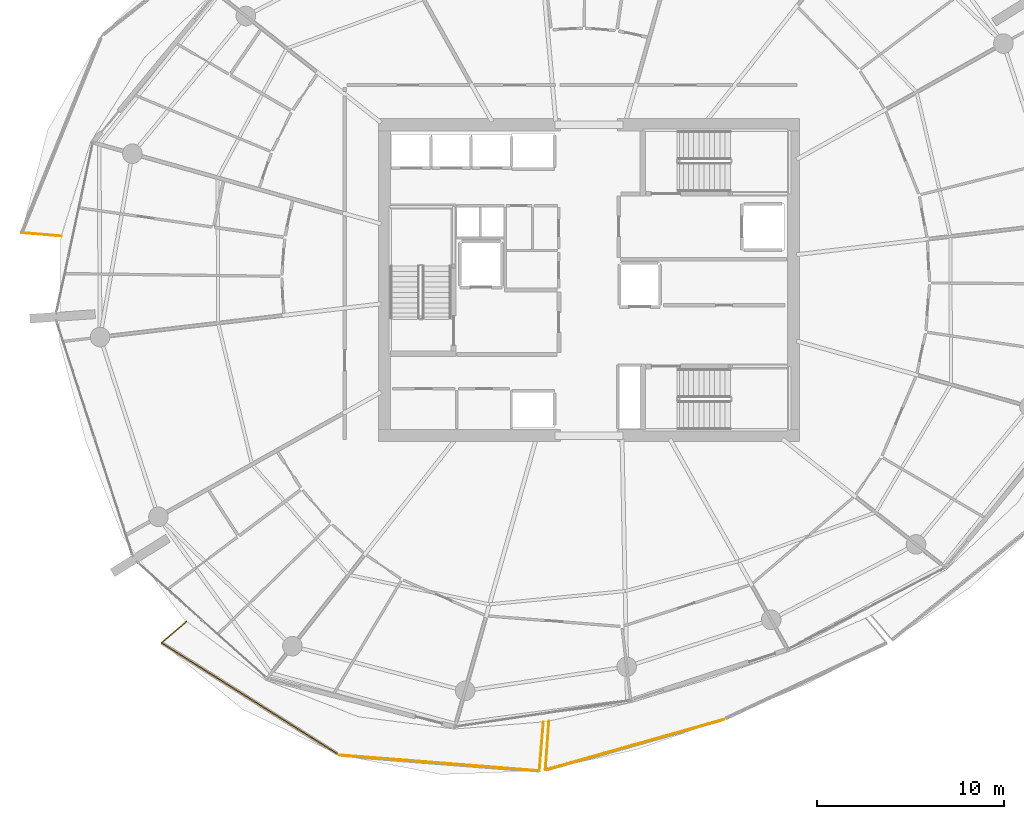
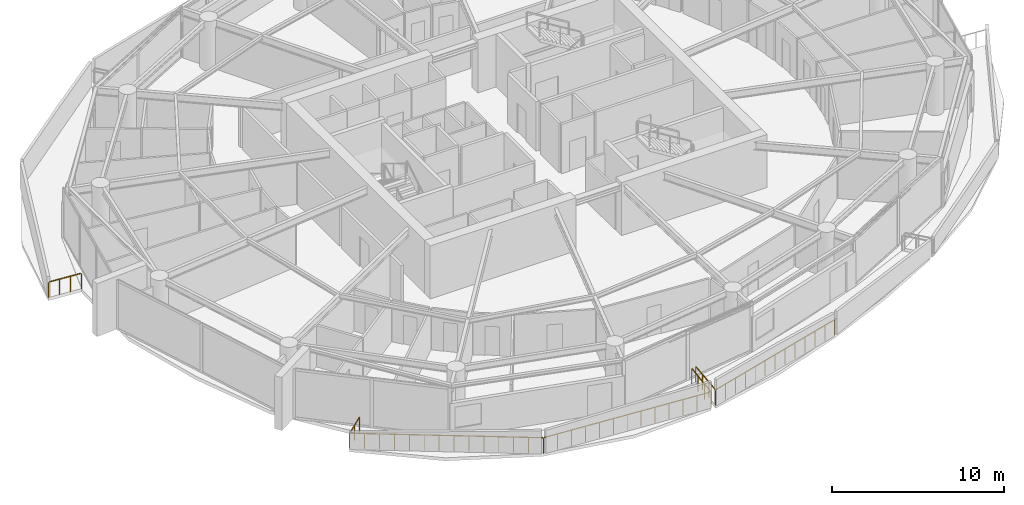
# One storey, part 16 of 20: 7 railings.
"""IFC4 building model written with IfcOpenShell, lengths in metres."""

from ifc_helpers import new_model, si_unit, direction, frame, origin, origin_2d, place, context, subcontext, project, spatial, rectangle, extrude, material, type_object, element, save


model = new_model("IFC4")

# Units and contexts
model_context = context("Model", 3, precision=1e-05, world=origin(), true_north=direction((0.0, 1.0)))
body_context = subcontext(model_context, "Body", "Model", "MODEL_VIEW")
ifc_project = project(units=[si_unit("LENGTHUNIT", "METRE"), si_unit("AREAUNIT", "SQUARE_METRE"), si_unit("VOLUMEUNIT", "CUBIC_METRE"), si_unit("PLANEANGLEUNIT", "RADIAN"), si_unit("MASSUNIT", "GRAM", prefix="KILO")], contexts=[model_context])

# Site, building, storey
site_placement = place(None, origin())
site = spatial("IfcSite", under=ifc_project, at=site_placement, CompositionType="ELEMENT")
building_placement = place(site_placement, origin())
building = spatial("IfcBuilding", under=site, at=building_placement, Name="Kazma Halo Residences", CompositionType="ELEMENT")
storey_placement = place(building_placement, frame((0.0, 0.0, 202.800048828125)))
storey = spatial("IfcBuildingStorey", under=building, at=storey_placement, Name="L51", CompositionType="ELEMENT", Elevation=202.800048828125)

# Railings
ifc_material = material(Name="Aluminium AW-6063 T6 Brushed Cap Rail", Category="aluminium")
railing_type = type_object("IfcRailingType", Name="RLG-BAL-CAP-1120", PredefinedType="BALUSTRADE", material=ifc_material)
railing_1_placement = place(storey_placement, frame((18.044921875, 44.541748046875, 0.0)))
element("IfcRailing", 1, at=railing_1_placement, inside=storey, type_object=railing_type, Name="L51 NW wave balcony guard 4", PredefinedType="BALUSTRADE", context=body_context, shape_type="SweptSolid", body=[
    extrude(rectangle(XDim=0.050048828125, YDim=0.050048828125, at=origin_2d()), frame((0.04248046875, -0.003662109375, 1.09521484375), z_axis=(0.996420448737, -0.084535728182, 0.0), x_axis=(0.084535728182, 0.996420448737, 0.0)), (0.0, 0.0, 1.0), 2.04345703125),
    extrude(rectangle(XDim=0.0400390625, YDim=0.0400390625, at=origin_2d()), origin(), (0.0, 0.0, 1.0), 1.05810546875),
    extrude(rectangle(XDim=0.0400390625, YDim=0.0400390625, at=origin_2d()), frame((0.70703125, -0.06005859375, 0.0)), (0.0, 0.0, 1.0), 1.05810546875),
    extrude(rectangle(XDim=0.0400390625, YDim=0.0400390625, at=origin_2d()), frame((1.413818359375, -0.119873046875, 0.0)), (0.0, 0.0, 1.0), 1.05810546875),
    extrude(rectangle(XDim=0.0400390625, YDim=0.0400390625, at=origin_2d()), frame((2.120849609375, -0.179931640625, 0.0)), (0.0, 0.0, 1.0), 1.05810546875),
])
railing_2_placement = place(storey_placement, frame((26.869873046875, 23.728759765625, 0.0)))
element("IfcRailing", 2, at=railing_2_placement, inside=storey, type_object=railing_type, Name="L51 SW wave balcony guard 1", PredefinedType="BALUSTRADE", context=body_context, shape_type="SweptSolid", body=[
    extrude(rectangle(XDim=0.050048828125, YDim=0.050048828125, at=origin_2d()), frame((-0.0322265625, -0.02783203125, 1.09521484375), z_axis=(-0.756426307601, -0.654078925795, 0.0), x_axis=(0.654078925795, -0.756426307601, 0.0)), (0.0, 0.0, 1.0), 1.6728515625),
    extrude(rectangle(XDim=0.0400390625, YDim=0.0400390625, at=origin_2d()), origin(), (0.0, 0.0, 1.0), 1.05810546875),
    extrude(rectangle(XDim=0.0400390625, YDim=0.0400390625, at=origin_2d()), frame((-0.6650390625, -0.574951171875, 0.0)), (0.0, 0.0, 1.0), 1.05810546875),
    extrude(rectangle(XDim=0.0400390625, YDim=0.0400390625, at=origin_2d()), frame((-1.329833984375, -1.14990234375, 0.0)), (0.0, 0.0, 1.0), 1.05810546875),
])
railing_3_placement = place(storey_placement, frame((25.5400390625, 22.578857421875, 0.0)))
element("IfcRailing", 3, at=railing_3_placement, inside=storey, type_object=railing_type, Name="L51 SW wave balcony guard 2", PredefinedType="BALUSTRADE", context=body_context, shape_type="SweptSolid", body=[
    extrude(rectangle(XDim=0.050048828125, YDim=0.050048828125, at=origin_2d()), frame((0.035888671875, -0.022705078125, 1.09521484375), z_axis=(0.845271598737, -0.53433690156, 0.0), x_axis=(0.53433690156, 0.845271598737, 0.0)), (0.0, 0.0, 1.0), 11.157958984375),
    extrude(rectangle(XDim=0.0400390625, YDim=0.0400390625, at=origin_2d()), origin(), (0.0, 0.0, 1.0), 1.05810546875),
    extrude(rectangle(XDim=0.0400390625, YDim=0.0400390625, at=origin_2d()), frame((0.73095703125, -0.462158203125, 0.0)), (0.0, 0.0, 1.0), 1.05810546875),
    extrude(rectangle(XDim=0.0400390625, YDim=0.0400390625, at=origin_2d()), frame((1.462158203125, -0.92431640625, 0.0)), (0.0, 0.0, 1.0), 1.05810546875),
    extrude(rectangle(XDim=0.0400390625, YDim=0.0400390625, at=origin_2d()), frame((2.193115234375, -1.386474609375, 0.0)), (0.0, 0.0, 1.0), 1.05810546875),
    extrude(rectangle(XDim=0.0400390625, YDim=0.0400390625, at=origin_2d()), frame((2.924072265625, -1.848388671875, 0.0)), (0.0, 0.0, 1.0), 1.05810546875),
    extrude(rectangle(XDim=0.0400390625, YDim=0.0400390625, at=origin_2d()), frame((3.6552734375, -2.310546875, 0.0)), (0.0, 0.0, 1.0), 1.05810546875),
    extrude(rectangle(XDim=0.0400390625, YDim=0.0400390625, at=origin_2d()), frame((4.38623046875, -2.772705078125, 0.0)), (0.0, 0.0, 1.0), 1.05810546875),
    extrude(rectangle(XDim=0.0400390625, YDim=0.0400390625, at=origin_2d()), frame((5.1171875, -3.23486328125, 0.0)), (0.0, 0.0, 1.0), 1.05810546875),
    extrude(rectangle(XDim=0.0400390625, YDim=0.0400390625, at=origin_2d()), frame((5.84814453125, -3.697021484375, 0.0)), (0.0, 0.0, 1.0), 1.05810546875),
    extrude(rectangle(XDim=0.0400390625, YDim=0.0400390625, at=origin_2d()), frame((6.579345703125, -4.1591796875, 0.0)), (0.0, 0.0, 1.0), 1.05810546875),
    extrude(rectangle(XDim=0.0400390625, YDim=0.0400390625, at=origin_2d()), frame((7.310302734375, -4.62109375, 0.0)), (0.0, 0.0, 1.0), 1.05810546875),
    extrude(rectangle(XDim=0.0400390625, YDim=0.0400390625, at=origin_2d()), frame((8.041259765625, -5.083251953125, 0.0)), (0.0, 0.0, 1.0), 1.05810546875),
    extrude(rectangle(XDim=0.0400390625, YDim=0.0400390625, at=origin_2d()), frame((8.7724609375, -5.54541015625, 0.0)), (0.0, 0.0, 1.0), 1.05810546875),
    extrude(rectangle(XDim=0.0400390625, YDim=0.0400390625, at=origin_2d()), frame((9.50341796875, -6.007568359375, 0.0)), (0.0, 0.0, 1.0), 1.05810546875),
])
railing_4_placement = place(storey_placement, frame((35.04345703125, 16.5712890625, 0.0)))
element("IfcRailing", 4, at=railing_4_placement, inside=storey, type_object=railing_type, Name="L51 SW wave balcony guard 3", PredefinedType="BALUSTRADE", context=body_context, shape_type="SweptSolid", body=[
    extrude(rectangle(XDim=0.050048828125, YDim=0.050048828125, at=origin_2d()), frame((0.04248046875, -0.00341796875, 1.09521484375), z_axis=(0.99689777388, -0.078707232409, 0.0), x_axis=(0.078707232409, 0.99689777388, 0.0)), (0.0, 0.0, 1.0), 10.67529296875),
    extrude(rectangle(XDim=0.0400390625, YDim=0.0400390625, at=origin_2d()), origin(), (0.0, 0.0, 1.0), 1.05810546875),
    extrude(rectangle(XDim=0.0400390625, YDim=0.0400390625, at=origin_2d()), frame((0.89404296875, -0.070556640625, 0.0)), (0.0, 0.0, 1.0), 1.05810546875),
    extrude(rectangle(XDim=0.0400390625, YDim=0.0400390625, at=origin_2d()), frame((1.787841796875, -0.14111328125, 0.0)), (0.0, 0.0, 1.0), 1.05810546875),
    extrude(rectangle(XDim=0.0400390625, YDim=0.0400390625, at=origin_2d()), frame((2.681640625, -0.211669921875, 0.0)), (0.0, 0.0, 1.0), 1.05810546875),
    extrude(rectangle(XDim=0.0400390625, YDim=0.0400390625, at=origin_2d()), frame((3.57568359375, -0.2822265625, 0.0)), (0.0, 0.0, 1.0), 1.05810546875),
    extrude(rectangle(XDim=0.0400390625, YDim=0.0400390625, at=origin_2d()), frame((4.4697265625, -0.352783203125, 0.0)), (0.0, 0.0, 1.0), 1.05810546875),
    extrude(rectangle(XDim=0.0400390625, YDim=0.0400390625, at=origin_2d()), frame((5.363525390625, -0.42333984375, 0.0)), (0.0, 0.0, 1.0), 1.05810546875),
    extrude(rectangle(XDim=0.0400390625, YDim=0.0400390625, at=origin_2d()), frame((6.25732421875, -0.494140625, 0.0)), (0.0, 0.0, 1.0), 1.05810546875),
    extrude(rectangle(XDim=0.0400390625, YDim=0.0400390625, at=origin_2d()), frame((7.1513671875, -0.564697265625, 0.0)), (0.0, 0.0, 1.0), 1.05810546875),
    extrude(rectangle(XDim=0.0400390625, YDim=0.0400390625, at=origin_2d()), frame((8.04541015625, -0.63525390625, 0.0)), (0.0, 0.0, 1.0), 1.05810546875),
    extrude(rectangle(XDim=0.0400390625, YDim=0.0400390625, at=origin_2d()), frame((8.939208984375, -0.705810546875, 0.0)), (0.0, 0.0, 1.0), 1.05810546875),
    extrude(rectangle(XDim=0.0400390625, YDim=0.0400390625, at=origin_2d()), frame((9.8330078125, -0.7763671875, 0.0)), (0.0, 0.0, 1.0), 1.05810546875),
    extrude(rectangle(XDim=0.0400390625, YDim=0.0400390625, at=origin_2d()), frame((10.72705078125, -0.846923828125, 0.0)), (0.0, 0.0, 1.0), 1.05810546875),
])
railing_5_placement = place(storey_placement, frame((45.7705078125, 15.724365234375, 0.0)))
element("IfcRailing", 5, at=railing_5_placement, inside=storey, type_object=railing_type, Name="L51 SW wave balcony guard 4", PredefinedType="BALUSTRADE", context=body_context, shape_type="SweptSolid", body=[
    extrude(rectangle(XDim=0.050048828125, YDim=0.050048828125, at=origin_2d()), frame((0.003662109375, 0.04248046875, 1.09521484375), z_axis=(0.084597784786, 0.996415181944, 0.0), x_axis=(-0.996415181944, 0.084597784786, 0.0)), (0.0, 0.0, 1.0), 2.5439453125),
    extrude(rectangle(XDim=0.0400390625, YDim=0.0400390625, at=origin_2d()), origin(), (0.0, 0.0, 1.0), 1.05810546875),
    extrude(rectangle(XDim=0.0400390625, YDim=0.0400390625, at=origin_2d()), frame((0.07421875, 0.873291015625, 0.0)), (0.0, 0.0, 1.0), 1.05810546875),
    extrude(rectangle(XDim=0.0400390625, YDim=0.0400390625, at=origin_2d()), frame((0.148193359375, 1.746337890625, 0.0)), (0.0, 0.0, 1.0), 1.05810546875),
    extrude(rectangle(XDim=0.0400390625, YDim=0.0400390625, at=origin_2d()), frame((0.222412109375, 2.61962890625, 0.0)), (0.0, 0.0, 1.0), 1.05810546875),
])
railing_6_placement = place(storey_placement, frame((46.286865234375, 18.387939453125, 0.0)))
element("IfcRailing", 6, at=railing_6_placement, inside=storey, type_object=railing_type, Name="L51 SSE wave balcony guard 1", PredefinedType="BALUSTRADE", context=body_context, shape_type="SweptSolid", body=[
    extrude(rectangle(XDim=0.050048828125, YDim=0.050048828125, at=origin_2d()), frame((-0.003173828125, -0.04248046875, 1.09521484375), z_axis=(-0.072463352725, -0.997371075634, 0.0), x_axis=(0.997371075634, -0.072463352725, 0.0)), (0.0, 0.0, 1.0), 2.53955078125),
    extrude(rectangle(XDim=0.0400390625, YDim=0.0400390625, at=origin_2d()), origin(), (0.0, 0.0, 1.0), 1.05810546875),
    extrude(rectangle(XDim=0.0400390625, YDim=0.0400390625, at=origin_2d()), frame((-0.0634765625, -0.87255859375, 0.0)), (0.0, 0.0, 1.0), 1.05810546875),
    extrude(rectangle(XDim=0.0400390625, YDim=0.0400390625, at=origin_2d()), frame((-0.126708984375, -1.7451171875, 0.0)), (0.0, 0.0, 1.0), 1.05810546875),
    extrude(rectangle(XDim=0.0400390625, YDim=0.0400390625, at=origin_2d()), frame((-0.190185546875, -2.61767578125, 0.0)), (0.0, 0.0, 1.0), 1.05810546875),
])
railing_7_placement = place(storey_placement, frame((46.0966796875, 15.770263671875, 0.0)))
element("IfcRailing", 7, at=railing_7_placement, inside=storey, type_object=railing_type, Name="L51 SSE wave balcony guard 2", PredefinedType="BALUSTRADE", context=body_context, shape_type="SweptSolid", body=[
    extrude(rectangle(XDim=0.050048828125, YDim=0.050048828125, at=origin_2d()), frame((0.041015625, 0.01171875, 1.09521484375), z_axis=(0.962080895035, 0.272764278102, 0.0), x_axis=(-0.272764278102, 0.962080895035, 0.0)), (0.0, 0.0, 1.0), 9.837646484375),
    extrude(rectangle(XDim=0.0400390625, YDim=0.0400390625, at=origin_2d()), origin(), (0.0, 0.0, 1.0), 1.05810546875),
    extrude(rectangle(XDim=0.0400390625, YDim=0.0400390625, at=origin_2d()), frame((0.79541015625, 0.2255859375, 0.0)), (0.0, 0.0, 1.0), 1.05810546875),
    extrude(rectangle(XDim=0.0400390625, YDim=0.0400390625, at=origin_2d()), frame((1.591064453125, 0.451171875, 0.0)), (0.0, 0.0, 1.0), 1.05810546875),
    extrude(rectangle(XDim=0.0400390625, YDim=0.0400390625, at=origin_2d()), frame((2.38671875, 0.6767578125, 0.0)), (0.0, 0.0, 1.0), 1.05810546875),
    extrude(rectangle(XDim=0.0400390625, YDim=0.0400390625, at=origin_2d()), frame((3.18212890625, 0.902099609375, 0.0)), (0.0, 0.0, 1.0), 1.05810546875),
    extrude(rectangle(XDim=0.0400390625, YDim=0.0400390625, at=origin_2d()), frame((3.9775390625, 1.127685546875, 0.0)), (0.0, 0.0, 1.0), 1.05810546875),
    extrude(rectangle(XDim=0.0400390625, YDim=0.0400390625, at=origin_2d()), frame((4.773193359375, 1.353271484375, 0.0)), (0.0, 0.0, 1.0), 1.05810546875),
    extrude(rectangle(XDim=0.0400390625, YDim=0.0400390625, at=origin_2d()), frame((5.56884765625, 1.578857421875, 0.0)), (0.0, 0.0, 1.0), 1.05810546875),
    extrude(rectangle(XDim=0.0400390625, YDim=0.0400390625, at=origin_2d()), frame((6.3642578125, 1.804443359375, 0.0)), (0.0, 0.0, 1.0), 1.05810546875),
    extrude(rectangle(XDim=0.0400390625, YDim=0.0400390625, at=origin_2d()), frame((7.15966796875, 2.02978515625, 0.0)), (0.0, 0.0, 1.0), 1.05810546875),
    extrude(rectangle(XDim=0.0400390625, YDim=0.0400390625, at=origin_2d()), frame((7.955322265625, 2.25537109375, 0.0)), (0.0, 0.0, 1.0), 1.05810546875),
    extrude(rectangle(XDim=0.0400390625, YDim=0.0400390625, at=origin_2d()), frame((8.7509765625, 2.48095703125, 0.0)), (0.0, 0.0, 1.0), 1.05810546875),
    extrude(rectangle(XDim=0.0400390625, YDim=0.0400390625, at=origin_2d()), frame((9.54638671875, 2.70654296875, 0.0)), (0.0, 0.0, 1.0), 1.05810546875),
])

save(model, "model.ifc")
